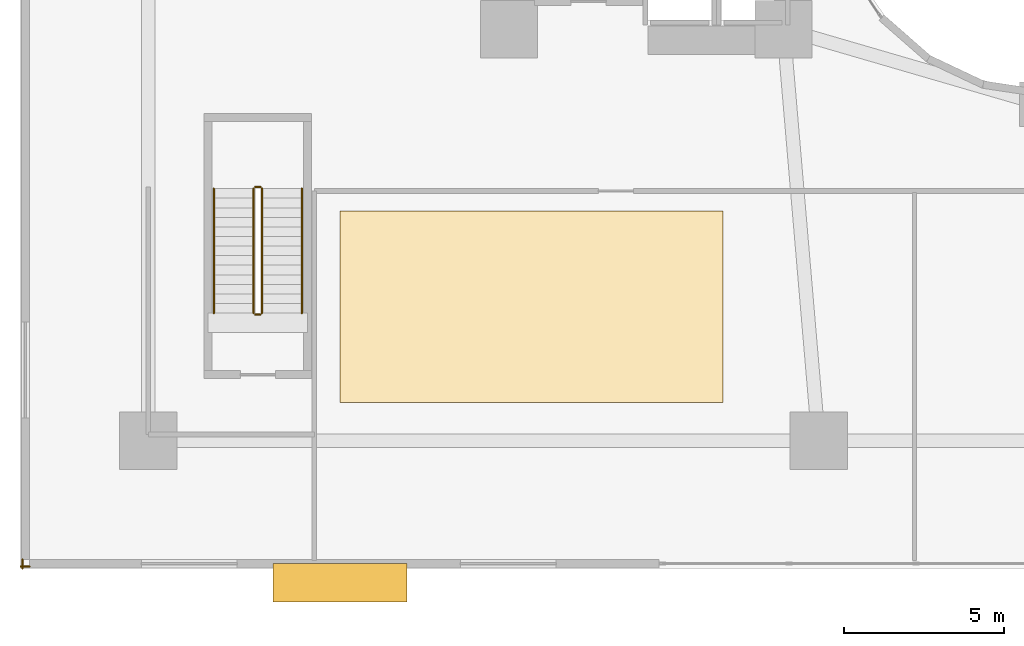
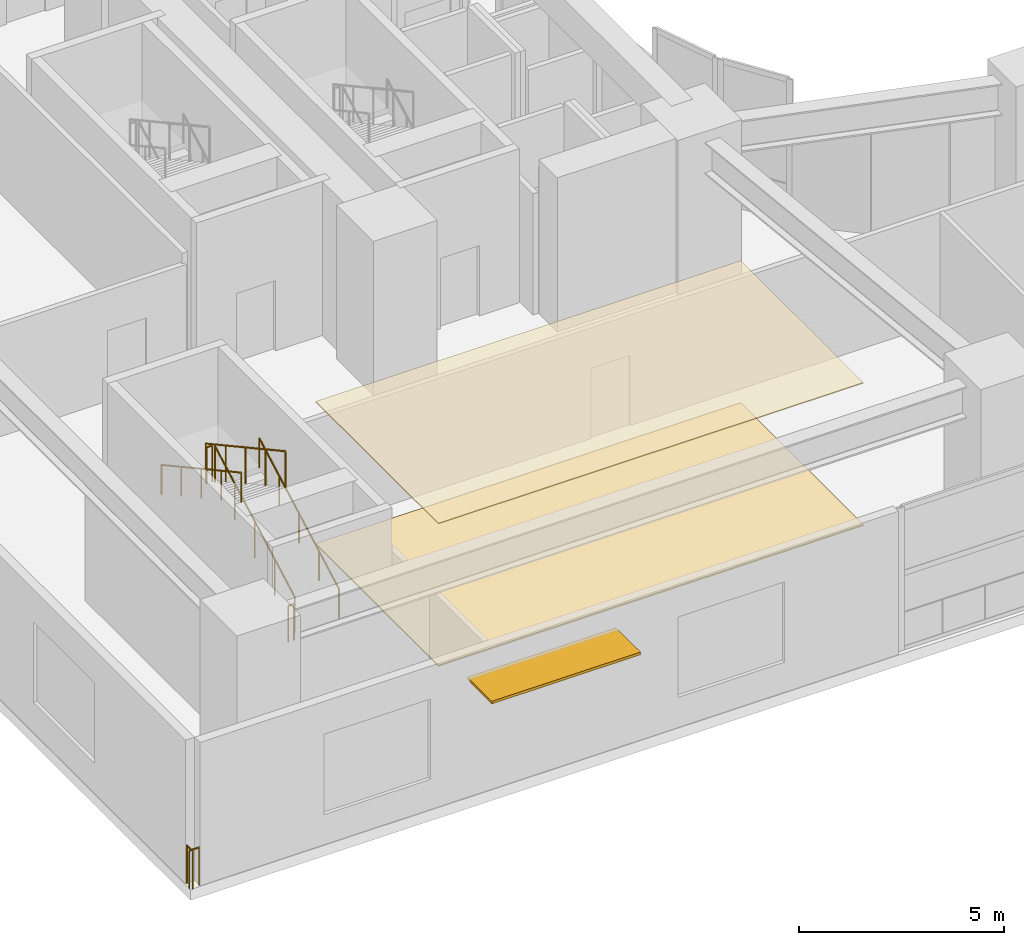
# One storey, part 19 of 25: 8 railings, 2 coverings, 1 shading device.
"""IFC4 building model written with IfcOpenShell, lengths in metres."""

from ifc_helpers import new_model, si_unit, direction, frame, origin, origin_2d, place, context, subcontext, project, spatial, polyline, rectangle, circle, outline, extrude, material, layer, layer_set, type_object, element, save


model = new_model("IFC4")

# Units and contexts
model_context = context("Model", 3, precision=1e-05, world=origin(), true_north=direction((0.0, 1.0)))
body_context = subcontext(model_context, "Body", "Model", "MODEL_VIEW")
ifc_project = project(units=[si_unit("LENGTHUNIT", "METRE"), si_unit("AREAUNIT", "SQUARE_METRE"), si_unit("VOLUMEUNIT", "CUBIC_METRE"), si_unit("PLANEANGLEUNIT", "RADIAN"), si_unit("MASSUNIT", "GRAM", prefix="KILO")], contexts=[model_context])

# Site, building, storey
site_placement = place(None, origin())
site = spatial("IfcSite", under=ifc_project, at=site_placement, CompositionType="ELEMENT")
building_placement = place(site_placement, origin())
building = spatial("IfcBuilding", under=site, at=building_placement, Name="Solvane Sanctuary Tower", CompositionType="ELEMENT")
storey_placement = place(building_placement, frame((0.0, 0.0, 13.800048828125)))
storey = spatial("IfcBuildingStorey", under=building, at=storey_placement, Name="L04", CompositionType="ELEMENT", Elevation=13.800048828125)

# Coverings
ifc_material_1 = material(Name="Acoustic Gypsum Partition Board")
ifc_layer_1 = layer(ifc_material_1, 0.02490234375, Name="Acoustic Gypsum Partition Board")
ifc_layer_set_1 = layer_set([ifc_layer_1], Name="Acoustic Gypsum Partition Board")
covering_type_1 = type_object("IfcCoveringType", Name="Covering CLG-ACOUST", PredefinedType="CEILING", material=ifc_layer_set_1)
covering_1_placement = place(storey_placement, frame((0.0, 0.0, 4.25)))
element("IfcCovering", 1, at=covering_1_placement, inside=storey, type_object=covering_type_1, Name="L04 Sanctuary Acoustic Ceiling", PredefinedType="CEILING", context=body_context, shape_type="SweptSolid", body=[
    extrude(outline(polyline([(10.0, 5.199951171875), (22.0, 5.199951171875), (22.0, 11.199951171875), (10.0, 11.199951171875), (10.0, 5.199951171875)])), origin(), (0.0, 0.0, 1.0), 0.030029296875),
])
ifc_material_2 = material(Name="Ceramic Tile Finish")
ifc_layer_2 = layer(ifc_material_2, 0.030029296875, Name="Ceramic Tile Finish")
ifc_layer_set_2 = layer_set([ifc_layer_2], Name="Ceramic Tile Finish")
covering_type_2 = type_object("IfcCoveringType", Name="Covering FLR-TERRAZZO", PredefinedType="FLOORING", material=ifc_layer_set_2)
covering_2_placement = place(storey_placement, origin())
element("IfcCovering", 2, at=covering_2_placement, inside=storey, type_object=covering_type_2, Name="L04 Sanctuary Terrazzo Floor", PredefinedType="FLOORING", context=body_context, shape_type="SweptSolid", body=[
    extrude(outline(polyline([(10.0, 5.199951171875), (22.0, 5.199951171875), (22.0, 11.199951171875), (10.0, 11.199951171875), (10.0, 5.199951171875)])), origin(), (0.0, 0.0, 1.0), 0.0400390625),
])

# Railings
ifc_material_3 = material(Name="Architectural Stainless Steel 316", Category="steel")
railing_type_1 = type_object("IfcRailingType", Name="Railing GR-BALC-1150", PredefinedType="BALUSTRADE", material=ifc_material_3)
railing_1_placement = place(storey_placement, frame((0.06005859375, 0.0, 0.0)))
element("IfcRailing", 3, at=railing_1_placement, inside=storey, type_object=railing_type_1, Name="L04 Perimeter Slab Edge Guardrail 01", PredefinedType="BALUSTRADE", context=body_context, shape_type="SweptSolid", body=[
    extrude(circle(Radius=0.02392578125, at=origin_2d()), frame((0.0, 0.0, 1.1259765625), z_axis=(0.0, 1.0, 0.0), x_axis=(-1.0, 0.0, 0.0)), (0.0, 0.0, 1.0), 0.280029296875),
    extrude(circle(Radius=0.02099609375, at=origin_2d()), origin(), (0.0, 0.0, 1.0), 1.101806640625),
    extrude(circle(Radius=0.02099609375, at=origin_2d()), frame((0.0, 0.280029296875, 0.0)), (0.0, 0.0, 1.0), 1.101806640625),
])
railing_2_placement = place(storey_placement, frame((0.280029296875, 0.06005859375, 0.0)))
element("IfcRailing", 4, at=railing_2_placement, inside=storey, type_object=railing_type_1, Name="L04 Perimeter Slab Edge Guardrail 05", PredefinedType="BALUSTRADE", context=body_context, shape_type="SweptSolid", body=[
    extrude(circle(Radius=0.02392578125, at=origin_2d()), frame((0.0, 0.0, 1.1259765625), z_axis=(-1.0, 0.0, 0.0), x_axis=(0.0, -1.0, 0.0)), (0.0, 0.0, 1.0), 0.280029296875),
    extrude(circle(Radius=0.02099609375, at=origin_2d()), origin(), (0.0, 0.0, 1.0), 1.101806640625),
    extrude(circle(Radius=0.02099609375, at=origin_2d()), frame((-0.280029296875, 0.0, 0.0)), (0.0, 0.0, 1.0), 1.101806640625),
])
railing_3_placement = place(storey_placement, frame((7.56005859375, 8.0, 0.164306640625)))
element("IfcRailing", 5, at=railing_3_placement, inside=storey, type_object=railing_type_1, Name="L04 ST-4 stair guard 1", PredefinedType="BALUSTRADE", context=body_context, shape_type="SweptSolid", body=[
    extrude(circle(Radius=0.02392578125, at=origin_2d()), frame((0.0, 0.0, 1.076171875), z_axis=(0.0, 0.877088557246, 0.480328702816), x_axis=(-1.0, 0.0, 0.0)), (0.0, 0.0, 1.0), 4.446533203125),
    extrude(circle(Radius=0.02099609375, at=origin_2d()), origin(), (0.0, 0.0, 1.0), 1.052001953125),
    extrude(circle(Radius=0.02099609375, at=origin_2d()), frame((0.0, 0.97509765625, 0.533935546875)), (0.0, 0.0, 1.0), 1.052001953125),
    extrude(circle(Radius=0.02099609375, at=origin_2d()), frame((0.0, 1.949951171875, 1.06787109375)), (0.0, 0.0, 1.0), 1.052001953125),
    extrude(circle(Radius=0.02099609375, at=origin_2d()), frame((0.0, 2.9248046875, 1.601806640625)), (0.0, 0.0, 1.0), 1.052001953125),
    extrude(circle(Radius=0.02099609375, at=origin_2d()), frame((0.0, 3.89990234375, 2.1357421875)), (0.0, 0.0, 1.0), 1.052001953125),
])
railing_4_placement = place(storey_placement, frame((7.510009765625, 11.949951171875, 2.300048828125)))
element("IfcRailing", 6, at=railing_4_placement, inside=storey, type_object=railing_type_1, Name="L04 ST-4 stair guard 2", PredefinedType="BALUSTRADE", context=body_context, shape_type="SweptSolid", body=[
    extrude(circle(Radius=0.02392578125, at=origin_2d()), frame((0.0, 0.0, 1.076171875), z_axis=(-1.0, 0.0, 0.0), x_axis=(0.0, -1.0, 0.0)), (0.0, 0.0, 1.0), 0.159912109375),
    extrude(circle(Radius=0.02099609375, at=origin_2d()), origin(), (0.0, 0.0, 1.0), 1.052001953125),
    extrude(circle(Radius=0.02099609375, at=origin_2d()), frame((-0.159912109375, 0.0, 0.0)), (0.0, 0.0, 1.0), 1.052001953125),
])
railing_5_placement = place(storey_placement, frame((7.300048828125, 11.89990234375, 2.46435546875)))
element("IfcRailing", 7, at=railing_5_placement, inside=storey, type_object=railing_type_1, Name="L04 ST-4 stair guard 3", PredefinedType="BALUSTRADE", context=body_context, shape_type="SweptSolid", body=[
    extrude(circle(Radius=0.02392578125, at=origin_2d()), frame((0.0, 0.0, 1.076171875), z_axis=(0.0, -0.877111688762, 0.480286461851), x_axis=(1.0, 0.0, 0.0)), (0.0, 0.0, 1.0), 4.4462890625),
    extrude(circle(Radius=0.02099609375, at=origin_2d()), origin(), (0.0, 0.0, 1.0), 1.052001953125),
    extrude(circle(Radius=0.02099609375, at=origin_2d()), frame((0.0, -0.97509765625, 0.533935546875)), (0.0, 0.0, 1.0), 1.052001953125),
    extrude(circle(Radius=0.02099609375, at=origin_2d()), frame((0.0, -1.949951171875, 1.06787109375)), (0.0, 0.0, 1.0), 1.052001953125),
    extrude(circle(Radius=0.02099609375, at=origin_2d()), frame((0.0, -2.9248046875, 1.6015625)), (0.0, 0.0, 1.0), 1.052001953125),
    extrude(circle(Radius=0.02099609375, at=origin_2d()), frame((0.0, -3.89990234375, 2.135498046875)), (0.0, 0.0, 1.0), 1.052001953125),
])
railing_6_placement = place(storey_placement, frame((7.510009765625, 7.949951171875, 0.0)))
element("IfcRailing", 8, at=railing_6_placement, inside=storey, type_object=railing_type_1, Name="L04 ST-4 stair guard 4", PredefinedType="BALUSTRADE", context=body_context, shape_type="SweptSolid", body=[
    extrude(circle(Radius=0.02392578125, at=origin_2d()), frame((0.0, 0.0, 1.076171875), z_axis=(-1.0, 0.0, 0.0), x_axis=(0.0, -1.0, 0.0)), (0.0, 0.0, 1.0), 0.159912109375),
    extrude(circle(Radius=0.02099609375, at=origin_2d()), origin(), (0.0, 0.0, 1.0), 1.052001953125),
    extrude(circle(Radius=0.02099609375, at=origin_2d()), frame((-0.159912109375, 0.0, 0.0)), (0.0, 0.0, 1.0), 1.052001953125),
])
railing_type_2 = type_object("IfcRailingType", Name="Railing HR-STAIR-920", PredefinedType="HANDRAIL", material=ifc_material_3)
railing_7_placement = place(storey_placement, frame((8.81005859375, 8.0, 0.164306640625)))
element("IfcRailing", 9, at=railing_7_placement, inside=storey, type_object=railing_type_2, Name="L04 ST-4 stair handrail 1", PredefinedType="HANDRAIL", context=body_context, shape_type="SweptSolid", body=[
    extrude(circle(Radius=0.02392578125, at=origin_2d()), frame((0.0, 0.0, 0.8759765625), z_axis=(0.0, 0.877088557246, 0.480328702816), x_axis=(-1.0, 0.0, 0.0)), (0.0, 0.0, 1.0), 4.446533203125),
    extrude(circle(Radius=0.02099609375, at=origin_2d()), origin(), (0.0, 0.0, 1.0), 0.851806640625),
    extrude(circle(Radius=0.02099609375, at=origin_2d()), frame((0.0, 0.97509765625, 0.533935546875)), (0.0, 0.0, 1.0), 0.851806640625),
    extrude(circle(Radius=0.02099609375, at=origin_2d()), frame((0.0, 1.949951171875, 1.06787109375)), (0.0, 0.0, 1.0), 0.851806640625),
    extrude(circle(Radius=0.02099609375, at=origin_2d()), frame((0.0, 2.9248046875, 1.601806640625)), (0.0, 0.0, 1.0), 0.851806640625),
    extrude(circle(Radius=0.02099609375, at=origin_2d()), frame((0.0, 3.89990234375, 2.1357421875)), (0.0, 0.0, 1.0), 0.851806640625),
])
railing_8_placement = place(storey_placement, frame((6.050048828125, 11.89990234375, 2.46435546875)))
element("IfcRailing", 10, at=railing_8_placement, inside=storey, type_object=railing_type_2, Name="L04 ST-4 stair handrail 2", PredefinedType="HANDRAIL", context=body_context, shape_type="SweptSolid", body=[
    extrude(circle(Radius=0.02392578125, at=origin_2d()), frame((0.0, 0.0, 0.8759765625), z_axis=(0.0, -0.877111688762, 0.480286461851), x_axis=(1.0, 0.0, 0.0)), (0.0, 0.0, 1.0), 4.4462890625),
    extrude(circle(Radius=0.02099609375, at=origin_2d()), origin(), (0.0, 0.0, 1.0), 0.851806640625),
    extrude(circle(Radius=0.02099609375, at=origin_2d()), frame((0.0, -0.97509765625, 0.533935546875)), (0.0, 0.0, 1.0), 0.851806640625),
    extrude(circle(Radius=0.02099609375, at=origin_2d()), frame((0.0, -1.949951171875, 1.06787109375)), (0.0, 0.0, 1.0), 0.851806640625),
    extrude(circle(Radius=0.02099609375, at=origin_2d()), frame((0.0, -2.9248046875, 1.6015625)), (0.0, 0.0, 1.0), 0.851806640625),
    extrude(circle(Radius=0.02099609375, at=origin_2d()), frame((0.0, -3.89990234375, 2.135498046875)), (0.0, 0.0, 1.0), 0.851806640625),
])

# Shading device
ifc_material_4 = material(Name="Anodised Aluminium 6063-T6", Category="aluminium")
ifc_layer_3 = layer(ifc_material_4, 0.080078125, Name="Anodised Aluminium 6063-T6")
ifc_layer_set_3 = layer_set([ifc_layer_3], Name="Anodised Aluminium 6063-T6")
shading_device_type = type_object("IfcShadingDeviceType", Name="Shading SHD-SUNSHADE", PredefinedType="AWNING", material=ifc_layer_set_3)
shading_device_placement = place(storey_placement, frame((10.0, -0.449951171875, 3.409912109375), z_axis=(0.0, 0.0, 1.0), x_axis=(1.0, 0.0, 0.0)))
element("IfcShadingDevice", 11, at=shading_device_placement, inside=storey, type_object=shading_device_type, Name="L04 Tropical Sunshade Canopy S1", PredefinedType="AWNING", context=body_context, shape_type="SweptSolid", body=[
    extrude(rectangle(XDim=4.199951171875, YDim=1.199951171875, at=origin_2d()), origin(), (0.0, 0.0, 1.0), 0.080078125),
])

save(model, "model.ifc")
